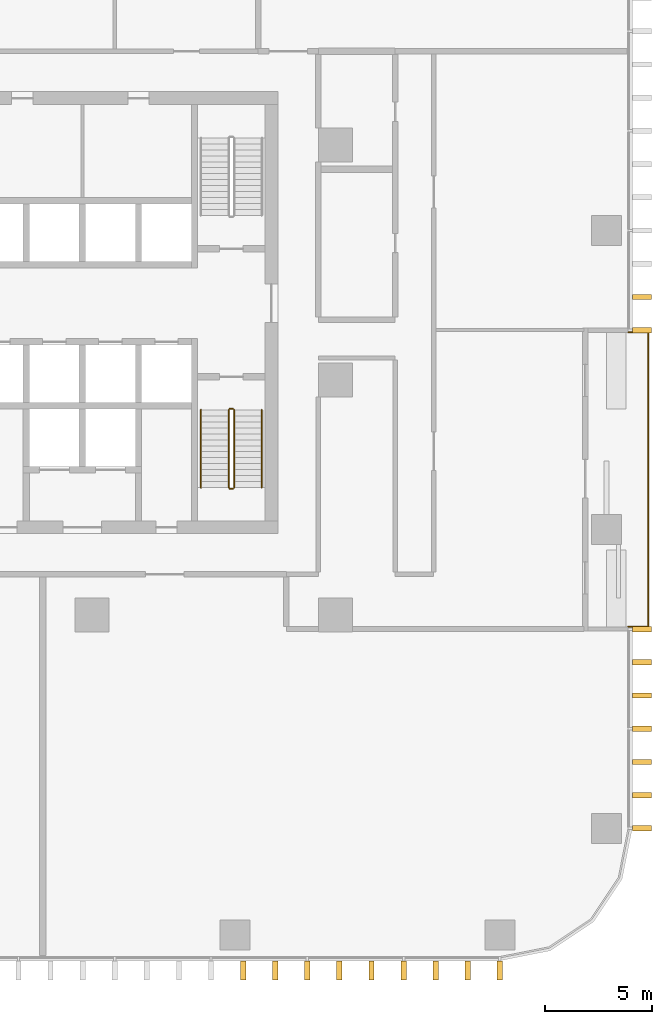
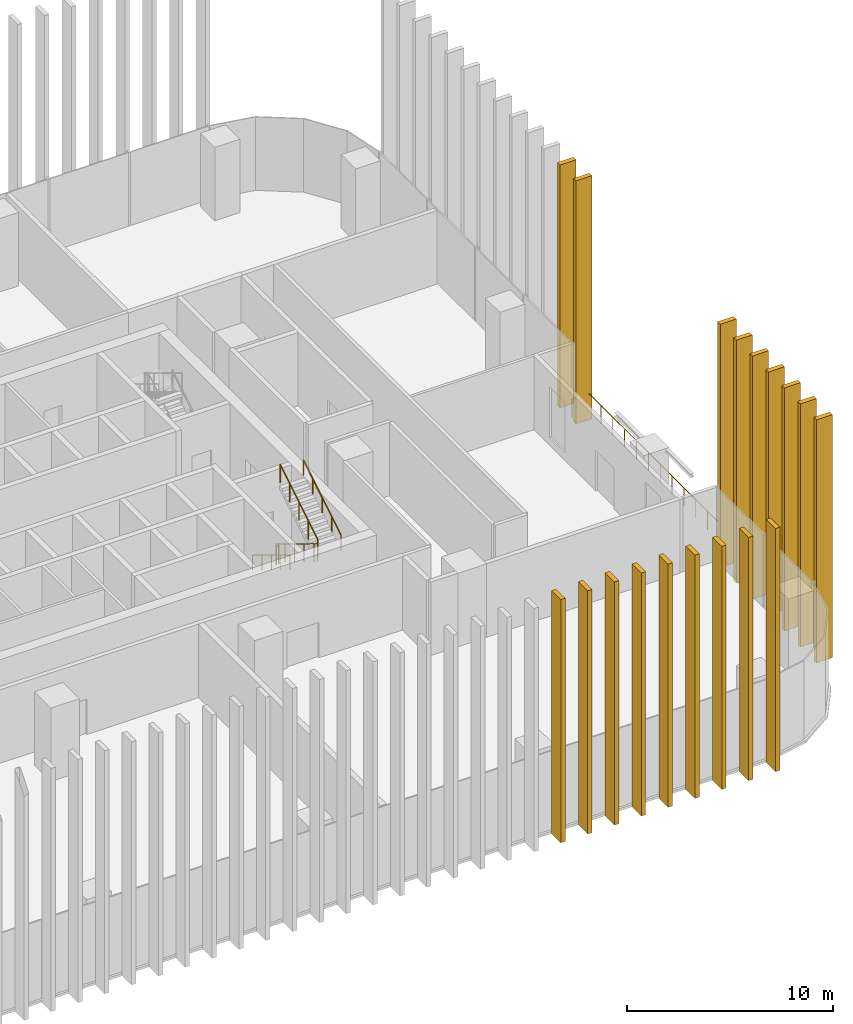
# One storey, part 14 of 17: 18 shading devices, 6 railings.
"""IFC4 building model written with IfcOpenShell, lengths in metres."""

from ifc_helpers import new_model, si_unit, direction, frame, origin, origin_2d, place, context, subcontext, project, spatial, rectangle, circle, extrude, material, type_object, element, save


model = new_model("IFC4")

# Units and contexts
model_context = context("Model", 3, precision=1e-05, world=origin(), true_north=direction((0.0, 1.0)))
body_context = subcontext(model_context, "Body", "Model", "MODEL_VIEW")
ifc_project = project(units=[si_unit("LENGTHUNIT", "METRE"), si_unit("AREAUNIT", "SQUARE_METRE"), si_unit("VOLUMEUNIT", "CUBIC_METRE"), si_unit("PLANEANGLEUNIT", "RADIAN"), si_unit("MASSUNIT", "GRAM", prefix="KILO")], contexts=[model_context])

# Site, building, storey
site_placement = place(None, origin())
site = spatial("IfcSite", under=ifc_project, at=site_placement, CompositionType="ELEMENT")
building_placement = place(site_placement, origin())
building = spatial("IfcBuilding", under=site, at=building_placement, Name="Mopane Tessera Tower", CompositionType="ELEMENT")
storey_placement = place(building_placement, frame((0.0, 0.0, 31.0)))
storey = spatial("IfcBuildingStorey", under=building, at=storey_placement, Name="L05", CompositionType="ELEMENT", Elevation=31.0)

# Shading devices
ifc_material_1 = material(Name="Glazed ceramic tile")
shading_device_type = type_object("IfcShadingDeviceType", Name="Ceramic tile fin 900 x 250 mm", PredefinedType="USERDEFINED", material=ifc_material_1)
for number, where, z_axis, x_axis, name in (
    (1, (12.77587890625, -27.64990234375, -0.449951171875), (0.0, 0.0, 1.0), (1.0, 0.0, 0.0), "e:fin:L05:S:8:1"),
    (2, (14.27880859375, -27.64990234375, -0.449951171875), (0.0, 0.0, 1.0), (1.0, 0.0, 0.0), "e:fin:L05:S:8:2"),
    (3, (15.78173828125, -27.64990234375, -0.449951171875), (0.0, 0.0, 1.0), (1.0, 0.0, 0.0), "e:fin:L05:S:9:0"),
    (4, (17.284912109375, -27.64990234375, -0.449951171875), (0.0, 0.0, 1.0), (1.0, 0.0, 0.0), "e:fin:L05:S:9:1"),
    (5, (18.787841796875, -27.64990234375, -0.449951171875), (0.0, 0.0, 1.0), (1.0, 0.0, 0.0), "e:fin:L05:S:9:2"),
    (6, (20.291015625, -27.64990234375, -0.449951171875), (0.0, 0.0, 1.0), (1.0, 0.0, 0.0), "e:fin:L05:S:10:0"),
    (7, (21.7939453125, -27.64990234375, -0.449951171875), (0.0, 0.0, 1.0), (1.0, 0.0, 0.0), "e:fin:L05:S:10:1"),
    (8, (23.296875, -27.64990234375, -0.449951171875), (0.0, 0.0, 1.0), (1.0, 0.0, 0.0), "e:fin:L05:S:10:2"),
    (9, (24.800048828125, -27.64990234375, -0.449951171875), (0.0, 0.0, 1.0), (1.0, 0.0, 0.0), "e:fin:L05:S:10:3"),
    (10, (31.449951171875, -21.0, -0.449951171875), (0.0, 0.0, 1.0), (0.0, 1.0, 0.0), "e:fin:L05:E:0:0"),
    (11, (31.449951171875, -19.4443359375, -0.449951171875), (0.0, 0.0, 1.0), (0.0, 1.0, 0.0), "e:fin:L05:E:0:1"),
    (12, (31.449951171875, -17.888916015625, -0.449951171875), (0.0, 0.0, 1.0), (0.0, 1.0, 0.0), "e:fin:L05:E:0:2"),
    (13, (31.449951171875, -16.333251953125, -0.449951171875), (0.0, 0.0, 1.0), (0.0, 1.0, 0.0), "e:fin:L05:E:1:0"),
    (14, (31.449951171875, -14.77783203125, -0.449951171875), (0.0, 0.0, 1.0), (0.0, 1.0, 0.0), "e:fin:L05:E:1:1"),
    (15, (31.449951171875, -13.22216796875, -0.449951171875), (0.0, 0.0, 1.0), (0.0, 1.0, 0.0), "e:fin:L05:E:1:2"),
    (16, (31.449951171875, -11.666748046875, -0.449951171875), (0.0, 0.0, 1.0), (0.0, 1.0, 0.0), "e:fin:L05:E:1:3"),
    (17, (31.449951171875, 2.333251953125, -0.449951171875), (0.0, 0.0, 1.0), (0.0, 1.0, 0.0), "e:fin:L05:E:5:0"),
    (18, (31.449951171875, 3.888916015625, -0.449951171875), (0.0, 0.0, 1.0), (0.0, 1.0, 0.0), "e:fin:L05:E:5:1"),
):
    element("IfcShadingDevice", number, at=place(storey_placement, frame(where, z_axis=z_axis, x_axis=x_axis)), inside=storey, type_object=shading_device_type, Name=name, ObjectType="FIN", PredefinedType="USERDEFINED", context=body_context, shape_type="SweptSolid", body=[
        extrude(rectangle(XDim=0.25, YDim=0.89990234375, at=origin_2d()), origin(), (0.0, 0.0, 1.0), 14.39990234375),
    ])

# Railings
ifc_material_2 = material(Name="Powder-coated steel balustrade", Category="steel")
railing_type_1 = type_object("IfcRailingType", Name="Escape stair guard 1100 mm", PredefinedType="GUARDRAIL", material=ifc_material_2)
railing_1_placement = place(storey_placement, frame((12.10009765625, -1.39990234375, 0.17138671875)))
element("IfcRailing", 19, at=railing_1_placement, inside=storey, type_object=railing_type_1, Name="L05 ST3 stair guard 1", PredefinedType="GUARDRAIL", context=body_context, shape_type="SweptSolid", body=[
    extrude(circle(Radius=0.02392578125, at=origin_2d()), frame((0.0, 0.0, 1.076171875), z_axis=(0.0, -0.852865859571, 0.52213008492), x_axis=(1.0, 0.0, 0.0)), (0.0, 0.0, 1.0), 4.26806640625),
    extrude(circle(Radius=0.02392578125, at=origin_2d()), frame((0.0, -3.64013671875, 3.3046875), z_axis=(0.705375805398, -0.708833529934, 0.0), x_axis=(0.708833529934, 0.705375805398, 0.0)), (0.0, 0.0, 1.0), 0.070556640625),
    extrude(circle(Radius=0.02392578125, at=origin_2d()), frame((0.0498046875, -3.690185546875, 3.3046875), z_axis=(1.0, 0.0, 0.0), x_axis=(0.0, 1.0, 0.0)), (0.0, 0.0, 1.0), 0.150146484375),
    extrude(circle(Radius=0.02099609375, at=origin_2d()), origin(), (0.0, 0.0, 1.0), 1.052001953125),
    extrude(circle(Radius=0.02099609375, at=origin_2d()), frame((0.0, -0.91015625, 0.55712890625)), (0.0, 0.0, 1.0), 1.052001953125),
    extrude(circle(Radius=0.02099609375, at=origin_2d()), frame((0.0, -1.820068359375, 1.1142578125)), (0.0, 0.0, 1.0), 1.052001953125),
    extrude(circle(Radius=0.02099609375, at=origin_2d()), frame((0.0, -2.72998046875, 1.67138671875)), (0.0, 0.0, 1.0), 1.052001953125),
    extrude(circle(Radius=0.02099609375, at=origin_2d()), frame((0.0, -3.64013671875, 2.228515625)), (0.0, 0.0, 1.0), 1.052001953125),
    extrude(circle(Radius=0.02099609375, at=origin_2d()), frame((0.0498046875, -3.690185546875, 2.228515625)), (0.0, 0.0, 1.0), 1.052001953125),
    extrude(circle(Radius=0.02099609375, at=origin_2d()), frame((0.199951171875, -3.690185546875, 2.228515625)), (0.0, 0.0, 1.0), 1.052001953125),
])
railing_2_placement = place(storey_placement, frame((12.35009765625, -5.0400390625, 2.571533203125)))
element("IfcRailing", 20, at=railing_2_placement, inside=storey, type_object=railing_type_1, Name="L05 ST3 stair guard 2", PredefinedType="GUARDRAIL", context=body_context, shape_type="SweptSolid", body=[
    extrude(circle(Radius=0.02392578125, at=origin_2d()), frame((0.0, 0.0, 1.076171875), z_axis=(0.0, 0.852865859571, 0.52213008492), x_axis=(-1.0, 0.0, 0.0)), (0.0, 0.0, 1.0), 4.26806640625),
    extrude(circle(Radius=0.02099609375, at=origin_2d()), origin(), (0.0, 0.0, 1.0), 1.052001953125),
    extrude(circle(Radius=0.02099609375, at=origin_2d()), frame((0.0, 0.91015625, 0.55712890625)), (0.0, 0.0, 1.0), 1.052001953125),
    extrude(circle(Radius=0.02099609375, at=origin_2d()), frame((0.0, 1.820068359375, 1.1142578125)), (0.0, 0.0, 1.0), 1.052001953125),
    extrude(circle(Radius=0.02099609375, at=origin_2d()), frame((0.0, 2.72998046875, 1.67138671875)), (0.0, 0.0, 1.0), 1.052001953125),
    extrude(circle(Radius=0.02099609375, at=origin_2d()), frame((0.0, 3.64013671875, 2.228515625)), (0.0, 0.0, 1.0), 1.052001953125),
])
railing_3_placement = place(storey_placement, frame((12.14990234375, -1.35009765625, 0.0)))
element("IfcRailing", 21, at=railing_3_placement, inside=storey, type_object=railing_type_1, Name="L05 ST3 stair guard 3", PredefinedType="GUARDRAIL", context=body_context, shape_type="SweptSolid", body=[
    extrude(circle(Radius=0.02392578125, at=origin_2d()), frame((0.0, 0.0, 1.076171875), z_axis=(1.0, 0.0, 0.0), x_axis=(0.0, 1.0, 0.0)), (0.0, 0.0, 1.0), 0.150146484375),
    extrude(circle(Radius=0.02099609375, at=origin_2d()), origin(), (0.0, 0.0, 1.0), 1.052001953125),
    extrude(circle(Radius=0.02099609375, at=origin_2d()), frame((0.150146484375, 0.0, 0.0)), (0.0, 0.0, 1.0), 1.052001953125),
])
ifc_material_3 = material(Name="Powder-coated steel balustrade", Category="steel")
railing_type_2 = type_object("IfcRailingType", Name="Escape stair handrail 900 mm", PredefinedType="HANDRAIL", material=ifc_material_3)
railing_4_placement = place(storey_placement, frame((10.800048828125, -1.39990234375, 0.17138671875)))
element("IfcRailing", 22, at=railing_4_placement, inside=storey, type_object=railing_type_2, Name="L05 ST3 stair handrail 1", PredefinedType="HANDRAIL", context=body_context, shape_type="SweptSolid", body=[
    extrude(circle(Radius=0.02392578125, at=origin_2d()), frame((0.0, 0.0, 0.8759765625), z_axis=(0.0, -0.852865859571, 0.52213008492), x_axis=(1.0, 0.0, 0.0)), (0.0, 0.0, 1.0), 4.26806640625),
    extrude(circle(Radius=0.02099609375, at=origin_2d()), origin(), (0.0, 0.0, 1.0), 0.851806640625),
    extrude(circle(Radius=0.02099609375, at=origin_2d()), frame((0.0, -0.91015625, 0.55712890625)), (0.0, 0.0, 1.0), 0.851806640625),
    extrude(circle(Radius=0.02099609375, at=origin_2d()), frame((0.0, -1.820068359375, 1.1142578125)), (0.0, 0.0, 1.0), 0.851806640625),
    extrude(circle(Radius=0.02099609375, at=origin_2d()), frame((0.0, -2.72998046875, 1.67138671875)), (0.0, 0.0, 1.0), 0.851806640625),
    extrude(circle(Radius=0.02099609375, at=origin_2d()), frame((0.0, -3.64013671875, 2.228515625)), (0.0, 0.0, 1.0), 0.851806640625),
])
railing_5_placement = place(storey_placement, frame((13.64990234375, -5.0400390625, 2.571533203125)))
element("IfcRailing", 23, at=railing_5_placement, inside=storey, type_object=railing_type_2, Name="L05 ST3 stair handrail 2", PredefinedType="HANDRAIL", context=body_context, shape_type="SweptSolid", body=[
    extrude(circle(Radius=0.02392578125, at=origin_2d()), frame((0.0, 0.0, 0.8759765625), z_axis=(0.0, 0.852865859571, 0.52213008492), x_axis=(-1.0, 0.0, 0.0)), (0.0, 0.0, 1.0), 4.26806640625),
    extrude(circle(Radius=0.02099609375, at=origin_2d()), origin(), (0.0, 0.0, 1.0), 0.851806640625),
    extrude(circle(Radius=0.02099609375, at=origin_2d()), frame((0.0, 0.91015625, 0.55712890625)), (0.0, 0.0, 1.0), 0.851806640625),
    extrude(circle(Radius=0.02099609375, at=origin_2d()), frame((0.0, 1.820068359375, 1.1142578125)), (0.0, 0.0, 1.0), 0.851806640625),
    extrude(circle(Radius=0.02099609375, at=origin_2d()), frame((0.0, 2.72998046875, 1.67138671875)), (0.0, 0.0, 1.0), 0.851806640625),
    extrude(circle(Radius=0.02099609375, at=origin_2d()), frame((0.0, 3.64013671875, 2.228515625)), (0.0, 0.0, 1.0), 0.851806640625),
])
ifc_material_4 = material(Name="Stainless steel S316", Category="steel")
railing_type_3 = type_object("IfcRailingType", Name="Terrace guard 1100", PredefinedType="GUARDRAIL", material=ifc_material_4)
railing_6_placement = place(storey_placement, frame((30.800048828125, -11.566650390625, 0.0)))
element("IfcRailing", 24, at=railing_6_placement, inside=storey, type_object=railing_type_3, Name="e:nw:L05:N1:guard", PredefinedType="GUARDRAIL", context=body_context, shape_type="SweptSolid", body=[
    extrude(circle(Radius=0.02392578125, at=origin_2d()), frame((0.0, 0.0, 1.076171875), z_axis=(1.0, 0.0, 0.0), x_axis=(0.0, 1.0, 0.0)), (0.0, 0.0, 1.0), 0.949951171875),
    extrude(circle(Radius=0.02392578125, at=origin_2d()), frame((0.949951171875, 0.0, 1.076171875), z_axis=(0.0, 1.0, 0.0), x_axis=(-1.0, 0.0, 0.0)), (0.0, 0.0, 1.0), 13.800048828125),
    extrude(circle(Radius=0.02392578125, at=origin_2d()), frame((0.949951171875, 13.800048828125, 1.076171875), z_axis=(-1.0, 0.0, 0.0), x_axis=(0.0, -1.0, 0.0)), (0.0, 0.0, 1.0), 0.949951171875),
    extrude(circle(Radius=0.02099609375, at=origin_2d()), origin(), (0.0, 0.0, 1.0), 1.052001953125),
    extrude(circle(Radius=0.02099609375, at=origin_2d()), frame((0.949951171875, 0.0, 0.0)), (0.0, 0.0, 1.0), 1.052001953125),
    extrude(circle(Radius=0.02099609375, at=origin_2d()), frame((0.949951171875, 1.14990234375, 0.0)), (0.0, 0.0, 1.0), 1.052001953125),
    extrude(circle(Radius=0.02099609375, at=origin_2d()), frame((0.949951171875, 2.300048828125, 0.0)), (0.0, 0.0, 1.0), 1.052001953125),
    extrude(circle(Radius=0.02099609375, at=origin_2d()), frame((0.949951171875, 3.449951171875, 0.0)), (0.0, 0.0, 1.0), 1.052001953125),
    extrude(circle(Radius=0.02099609375, at=origin_2d()), frame((0.949951171875, 4.60009765625, 0.0)), (0.0, 0.0, 1.0), 1.052001953125),
    extrude(circle(Radius=0.02099609375, at=origin_2d()), frame((0.949951171875, 5.75, 0.0)), (0.0, 0.0, 1.0), 1.052001953125),
    extrude(circle(Radius=0.02099609375, at=origin_2d()), frame((0.949951171875, 6.89990234375, 0.0)), (0.0, 0.0, 1.0), 1.052001953125),
    extrude(circle(Radius=0.02099609375, at=origin_2d()), frame((0.949951171875, 8.050048828125, 0.0)), (0.0, 0.0, 1.0), 1.052001953125),
    extrude(circle(Radius=0.02099609375, at=origin_2d()), frame((0.949951171875, 9.199951171875, 0.0)), (0.0, 0.0, 1.0), 1.052001953125),
    extrude(circle(Radius=0.02099609375, at=origin_2d()), frame((0.949951171875, 10.35009765625, 0.0)), (0.0, 0.0, 1.0), 1.052001953125),
    extrude(circle(Radius=0.02099609375, at=origin_2d()), frame((0.949951171875, 11.5, 0.0)), (0.0, 0.0, 1.0), 1.052001953125),
    extrude(circle(Radius=0.02099609375, at=origin_2d()), frame((0.949951171875, 12.650146484375, 0.0)), (0.0, 0.0, 1.0), 1.052001953125),
    extrude(circle(Radius=0.02099609375, at=origin_2d()), frame((0.949951171875, 13.800048828125, 0.0)), (0.0, 0.0, 1.0), 1.052001953125),
    extrude(circle(Radius=0.02099609375, at=origin_2d()), frame((0.0, 13.800048828125, 0.0)), (0.0, 0.0, 1.0), 1.052001953125),
])

save(model, "model.ifc")
